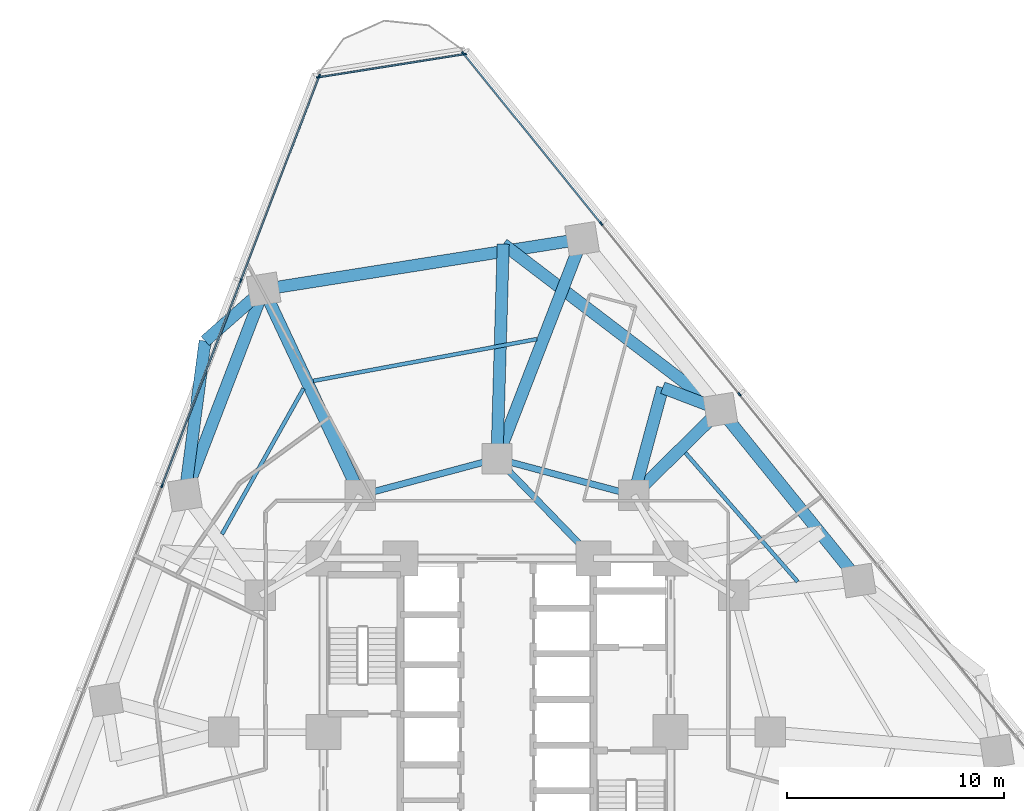
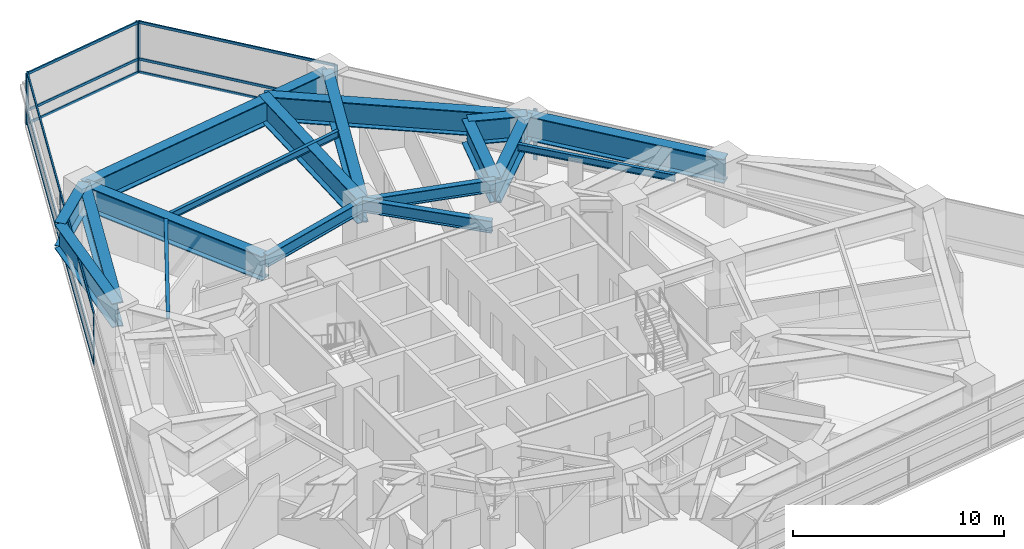
# One storey, part 5 of 13: 20 members, 18 beams, 3 elements without a shape of their own.
"""IFC4 building model written with IfcOpenShell, lengths in metres."""

from ifc_helpers import new_model, si_unit, direction, frame, origin, origin_2d, place, context, subcontext, project, spatial, rectangle, i_section, extrude, material, layer, layer_set, material_profile, profile_set, type_object, element, aggregate, save


model = new_model("IFC4")

# Units and contexts
model_context = context("Model", 3, precision=1e-05, world=origin(), true_north=direction((0.0, 1.0)))
body_context = subcontext(model_context, "Body", "Model", "MODEL_VIEW")
ifc_project = project(units=[si_unit("LENGTHUNIT", "METRE"), si_unit("AREAUNIT", "SQUARE_METRE"), si_unit("VOLUMEUNIT", "CUBIC_METRE"), si_unit("PLANEANGLEUNIT", "RADIAN"), si_unit("MASSUNIT", "GRAM", prefix="KILO")], contexts=[model_context])

# Site, building, storey
site_placement = place(None, origin())
site = spatial("IfcSite", under=ifc_project, at=site_placement, CompositionType="ELEMENT")
building_placement = place(site_placement, origin())
building = spatial("IfcBuilding", under=site, at=building_placement, Name="Terralouvre Media Tower", CompositionType="ELEMENT")
storey_placement = place(building_placement, frame((0.0, 0.0, 81.5)))
storey = spatial("IfcBuildingStorey", under=building, at=storey_placement, Name="L20", CompositionType="ELEMENT", Elevation=81.5)

# Beams
ifc_material_1 = material(Name="Structural steel S355J2", Category="steel")
ifc_material_profile_1 = material_profile(ifc_material_1, i_section(OverallWidth=0.179931640625, OverallDepth=0.39990234375, WebThickness=0.008544921875, FlangeThickness=0.013427734375, at=origin_2d()), Name="IPE 400")
ifc_profile_set_1 = profile_set([ifc_material_profile_1], Name="Structural steel S355J2")
beam_type_1 = type_object("IfcBeamType", Name="Composite Floor Joist J-IPE400 (IPE 400)", PredefinedType="JOIST", material=ifc_profile_set_1)
beam_1_placement = place(storey_placement, frame((13.85693359375, 6.929443359375, 3.260009765625), z_axis=(-0.656983061207, 0.753905337086, 0.0), x_axis=(-0.753905337086, -0.656983061207, 0.0)))
element("IfcBeam", 1, at=beam_1_placement, inside=storey, type_object=beam_type_1, Name="L20 Framing Beam JT-L20-07", PredefinedType="JOIST", context=body_context, shape_type="SweptSolid", body=[
    extrude(i_section(OverallWidth=0.179931640625, OverallDepth=0.39990234375, WebThickness=0.008544921875, FlangeThickness=0.013427734375, at=origin_2d()), origin(), (0.0, 0.0, 1.0), 7.879150390625),
])
beam_2_placement = place(storey_placement, frame((1.835205078125, 18.108154296875, 3.260009765625), z_axis=(-0.982983304647, -0.183694917693, 0.0), x_axis=(0.183694917693, -0.982983304647, 0.0)))
element("IfcBeam", 2, at=beam_2_placement, inside=storey, type_object=beam_type_1, Name="L20 Framing Beam JT-L20-09", PredefinedType="JOIST", context=body_context, shape_type="SweptSolid", body=[
    extrude(i_section(OverallWidth=0.179931640625, OverallDepth=0.39990234375, WebThickness=0.008544921875, FlangeThickness=0.013427734375, at=origin_2d()), origin(), (0.0, 0.0, 1.0), 10.4794921875),
])
beam_3_placement = place(storey_placement, frame((-8.915771484375, 15.83154296875, 3.260009765625), z_axis=(-0.488341378677, -0.872652678831, 0.0), x_axis=(0.872652678831, -0.488341378677, 0.0)))
element("IfcBeam", 3, at=beam_3_placement, inside=storey, type_object=beam_type_1, Name="L20 Framing Beam JT-L20-10", PredefinedType="JOIST", context=body_context, shape_type="SweptSolid", body=[
    extrude(i_section(OverallWidth=0.179931640625, OverallDepth=0.39990234375, WebThickness=0.008544921875, FlangeThickness=0.013427734375, at=origin_2d()), origin(), (0.0, 0.0, 1.0), 7.690673828125),
])

# Curtain wall, members
ifc_material_2 = material(Name="Low-iron laminated double glazing with solar-control coating", Category="glass")
ifc_layer_1 = layer(ifc_material_2, 0.1650390625, Name="Lower Media Tower Unitised Curtain Wall CW-02")
ifc_layer_set_1 = layer_set([ifc_layer_1], Name="Low-iron laminated double glazing with solar-control coating")
curtain_wall_type_1 = type_object("IfcCurtainWallType", Name="Lower Media Tower Unitised Curtain Wall CW-02", PredefinedType="NOTDEFINED", material=ifc_layer_set_1)
curtain_wall_1_placement = place(storey_placement, origin())
curtain_wall_1 = element("IfcCurtainWall", 4, at=curtain_wall_1_placement, inside=storey, type_object=curtain_wall_type_1, Name="L20 Facade Curtain Wall F1", PredefinedType="NOTDEFINED")
ifc_material_3 = material(Name="Anodised extruded aluminium 6063-T6", Category="aluminium")
ifc_material_profile_2 = material_profile(ifc_material_3, rectangle(XDim=0.074951171875, YDim=0.14990234375, at=origin_2d()), Name="ALU 75x150")
ifc_profile_set_2 = profile_set([ifc_material_profile_2], Name="Anodised extruded aluminium 6063-T6")
member_type_1 = type_object("IfcMemberType", Name="Curtain-Wall Horizontal Transom TR-150", PredefinedType="USERDEFINED", material=ifc_profile_set_2)
member_1_placement = place(storey_placement, frame((4.7763671875, 23.46435546875, 0.03759765625), z_axis=(-0.629312521445, 0.777152334071, 0.0), x_axis=(-0.777152334071, -0.629312521445, 0.0)))
member_1 = element("IfcMember", 5, at=member_1_placement, type_object=member_type_1, Name="CW-02 transom 5.1", ObjectType="TRANSOM", PredefinedType="USERDEFINED", context=body_context, shape_type="SweptSolid", body=[
    extrude(rectangle(XDim=0.074951171875, YDim=0.14990234375, at=origin_2d()), origin(), (0.0, 0.0, 1.0), 10.015625),
])
member_2_placement = place(storey_placement, frame((4.7763671875, 23.46435546875, 0.800048828125), z_axis=(-0.629312521445, 0.777152334071, 0.0), x_axis=(-0.777152334071, -0.629312521445, 0.0)))
member_2 = element("IfcMember", 6, at=member_2_placement, type_object=member_type_1, Name="CW-02 transom 5.2", ObjectType="TRANSOM", PredefinedType="USERDEFINED", context=body_context, shape_type="SweptSolid", body=[
    extrude(rectangle(XDim=0.074951171875, YDim=0.14990234375, at=origin_2d()), origin(), (0.0, 0.0, 1.0), 10.015625),
])
member_3_placement = place(storey_placement, frame((4.7763671875, 23.46435546875, 2.922607421875), z_axis=(-0.629312521445, 0.777152334071, 0.0), x_axis=(-0.777152334071, -0.629312521445, 0.0)))
member_3 = element("IfcMember", 7, at=member_3_placement, type_object=member_type_1, Name="CW-02 transom 5.3", ObjectType="TRANSOM", PredefinedType="USERDEFINED", context=body_context, shape_type="SweptSolid", body=[
    extrude(rectangle(XDim=0.074951171875, YDim=0.14990234375, at=origin_2d()), origin(), (0.0, 0.0, 1.0), 10.015625),
])

curtain_wall_2_placement = place(storey_placement, origin())
curtain_wall_2 = element("IfcCurtainWall", 8, at=curtain_wall_2_placement, inside=storey, type_object=curtain_wall_type_1, Name="L20 Facade Curtain Wall F2", PredefinedType="NOTDEFINED")
member_4_placement = place(storey_placement, frame((-8.2041015625, 30.1904296875, 0.03759765625), z_axis=(-0.358376263354, -0.933577235083, 0.0), x_axis=(0.933577235083, -0.358376263354, 0.0)))
member_4 = element("IfcMember", 9, at=member_4_placement, type_object=member_type_1, Name="CW-02 transom 1.1", ObjectType="TRANSOM", PredefinedType="USERDEFINED", context=body_context, shape_type="SweptSolid", body=[
    extrude(rectangle(XDim=0.074951171875, YDim=0.14990234375, at=origin_2d()), origin(), (0.0, 0.0, 1.0), 10.015625),
])
member_5_placement = place(storey_placement, frame((-8.2041015625, 30.1904296875, 0.800048828125), z_axis=(-0.358376263354, -0.933577235083, 0.0), x_axis=(0.933577235083, -0.358376263354, 0.0)))
member_5 = element("IfcMember", 10, at=member_5_placement, type_object=member_type_1, Name="CW-02 transom 1.2", ObjectType="TRANSOM", PredefinedType="USERDEFINED", context=body_context, shape_type="SweptSolid", body=[
    extrude(rectangle(XDim=0.074951171875, YDim=0.14990234375, at=origin_2d()), origin(), (0.0, 0.0, 1.0), 10.015625),
])
member_6_placement = place(storey_placement, frame((-8.2041015625, 30.1904296875, 2.922607421875), z_axis=(-0.358376263354, -0.933577235083, 0.0), x_axis=(0.933577235083, -0.358376263354, 0.0)))
member_6 = element("IfcMember", 11, at=member_6_placement, type_object=member_type_1, Name="CW-02 transom 1.3", ObjectType="TRANSOM", PredefinedType="USERDEFINED", context=body_context, shape_type="SweptSolid", body=[
    extrude(rectangle(XDim=0.074951171875, YDim=0.14990234375, at=origin_2d()), origin(), (0.0, 0.0, 1.0), 10.015625),
])
member_7_placement = place(storey_placement, frame((-11.8203125, 20.77001953125, 0.03759765625), z_axis=(-0.358357340084, -0.933584499019, 0.0), x_axis=(0.933584499019, -0.358357340084, 0.0)))
member_7 = element("IfcMember", 12, at=member_7_placement, type_object=member_type_1, Name="CW-02 transom 2.1", ObjectType="TRANSOM", PredefinedType="USERDEFINED", context=body_context, shape_type="SweptSolid", body=[
    extrude(rectangle(XDim=0.074951171875, YDim=0.14990234375, at=origin_2d()), origin(), (0.0, 0.0, 1.0), 10.052978515625),
])
member_8_placement = place(storey_placement, frame((-11.8203125, 20.77001953125, 0.800048828125), z_axis=(-0.358357340084, -0.933584499019, 0.0), x_axis=(0.933584499019, -0.358357340084, 0.0)))
member_8 = element("IfcMember", 13, at=member_8_placement, type_object=member_type_1, Name="CW-02 transom 2.2", ObjectType="TRANSOM", PredefinedType="USERDEFINED", context=body_context, shape_type="SweptSolid", body=[
    extrude(rectangle(XDim=0.074951171875, YDim=0.14990234375, at=origin_2d()), origin(), (0.0, 0.0, 1.0), 10.052978515625),
])
member_9_placement = place(storey_placement, frame((-11.8203125, 20.77001953125, 2.922607421875), z_axis=(-0.358357340084, -0.933584499019, 0.0), x_axis=(0.933584499019, -0.358357340084, 0.0)))
member_9 = element("IfcMember", 14, at=member_9_placement, type_object=member_type_1, Name="CW-02 transom 2.3", ObjectType="TRANSOM", PredefinedType="USERDEFINED", context=body_context, shape_type="SweptSolid", body=[
    extrude(rectangle(XDim=0.074951171875, YDim=0.14990234375, at=origin_2d()), origin(), (0.0, 0.0, 1.0), 10.052978515625),
])

ifc_material_4 = material(Name="Low-iron laminated double glazing with solar-control coating", Category="glass")
ifc_layer_2 = layer(ifc_material_4, 0.1650390625, Name="Rounded Wind-Corner Curved Glazing CW-04")
ifc_layer_set_2 = layer_set([ifc_layer_2], Name="Low-iron laminated double glazing with solar-control coating")
curtain_wall_type_2 = type_object("IfcCurtainWallType", Name="Rounded Wind-Corner Curved Glazing CW-04", PredefinedType="NOTDEFINED", material=ifc_layer_set_2)
curtain_wall_3_placement = place(storey_placement, origin())
curtain_wall_3 = element("IfcCurtainWall", 15, at=curtain_wall_3_placement, inside=storey, type_object=curtain_wall_type_2, Name="L20 Rounded Wind-Corner Curtain Wall C2", PredefinedType="NOTDEFINED")
member_10_placement = place(storey_placement, frame((-1.53271484375, 31.231689453125, 0.03759765625), z_axis=(-0.987688588398, -0.156432900464, 0.0), x_axis=(0.156432900464, -0.987688588398, 0.0)))
member_10 = element("IfcMember", 16, at=member_10_placement, type_object=member_type_1, Name="CW-04 transom 1.1", ObjectType="TRANSOM", PredefinedType="USERDEFINED", context=body_context, shape_type="SweptSolid", body=[
    extrude(rectangle(XDim=0.074951171875, YDim=0.14990234375, at=origin_2d()), origin(), (0.0, 0.0, 1.0), 6.74365234375),
])
member_11_placement = place(storey_placement, frame((-1.53271484375, 31.231689453125, 0.800048828125), z_axis=(-0.987688588398, -0.156432900464, 0.0), x_axis=(0.156432900464, -0.987688588398, 0.0)))
member_11 = element("IfcMember", 17, at=member_11_placement, type_object=member_type_1, Name="CW-04 transom 1.2", ObjectType="TRANSOM", PredefinedType="USERDEFINED", context=body_context, shape_type="SweptSolid", body=[
    extrude(rectangle(XDim=0.074951171875, YDim=0.14990234375, at=origin_2d()), origin(), (0.0, 0.0, 1.0), 6.74365234375),
])
member_12_placement = place(storey_placement, frame((-1.53271484375, 31.231689453125, 2.922607421875), z_axis=(-0.987688588398, -0.156432900464, 0.0), x_axis=(0.156432900464, -0.987688588398, 0.0)))
member_12 = element("IfcMember", 18, at=member_12_placement, type_object=member_type_1, Name="CW-04 transom 1.3", ObjectType="TRANSOM", PredefinedType="USERDEFINED", context=body_context, shape_type="SweptSolid", body=[
    extrude(rectangle(XDim=0.074951171875, YDim=0.14990234375, at=origin_2d()), origin(), (0.0, 0.0, 1.0), 6.74365234375),
])

# Member
ifc_material_5 = material(Name="Anodised extruded aluminium 6063-T6", Category="aluminium")
ifc_material_profile_3 = material_profile(ifc_material_5, rectangle(XDim=0.074951171875, YDim=0.179931640625, at=origin_2d()), Name="ALU 75x180")
ifc_profile_set_3 = profile_set([ifc_material_profile_3], Name="Anodised extruded aluminium 6063-T6")
member_type_2 = type_object("IfcMemberType", Name="Curtain-Wall Vertical Mullion ML-180", PredefinedType="MULLION", material=ifc_profile_set_3)
member_13_placement = place(storey_placement, frame((11.173583984375, 15.564453125, 0.0), z_axis=(0.0, 0.0, 1.0), x_axis=(-0.777145994276, -0.629320350521, 0.0)))
member_13 = element("IfcMember", 19, at=member_13_placement, type_object=member_type_2, Name="CW-02 mullion 4", PredefinedType="MULLION", context=body_context, shape_type="SweptSolid", body=[
    extrude(rectangle(XDim=0.074951171875, YDim=0.179931640625, at=origin_2d()), origin(), (0.0, 0.0, 1.0), 2.9599609375),
])

member_14_placement = place(storey_placement, frame((4.7998046875, 23.435302734375, 0.0), z_axis=(0.0, 0.0, 1.0), x_axis=(-0.777145994276, -0.629320350521, 0.0)))
member_14 = element("IfcMember", 20, at=member_14_placement, type_object=member_type_2, Name="CW-02 mullion 5", PredefinedType="MULLION", context=body_context, shape_type="SweptSolid", body=[
    extrude(rectangle(XDim=0.074951171875, YDim=0.179931640625, at=origin_2d()), origin(), (0.0, 0.0, 1.0), 2.9599609375),
])

member_15_placement = place(storey_placement, frame((-1.55029296875, 31.277099609375, 0.0), z_axis=(0.0, 0.0, 1.0), x_axis=(-0.777145994276, -0.629320350521, 0.0)))
member_15 = element("IfcMember", 21, at=member_15_placement, type_object=member_type_2, Name="CW-02 mullion 6", PredefinedType="MULLION", context=body_context, shape_type="SweptSolid", body=[
    extrude(rectangle(XDim=0.074951171875, YDim=0.179931640625, at=origin_2d()), origin(), (0.0, 0.0, 1.0), 2.9599609375),
])

aggregate(curtain_wall_1, [member_13, member_14, member_15, member_1, member_2, member_3])

member_16_placement = place(storey_placement, frame((-8.190673828125, 30.225341796875, 0.0), z_axis=(0.0, 0.0, 1.0), x_axis=(0.933580438988, -0.358367917006, 0.0)))
member_16 = element("IfcMember", 22, at=member_16_placement, type_object=member_type_2, Name="CW-02 mullion 1", PredefinedType="MULLION", context=body_context, shape_type="SweptSolid", body=[
    extrude(rectangle(XDim=0.074951171875, YDim=0.179931640625, at=origin_2d()), origin(), (0.0, 0.0, 1.0), 2.9599609375),
])

member_17_placement = place(storey_placement, frame((-11.806884765625, 20.80517578125, 0.0), z_axis=(0.0, 0.0, 1.0), x_axis=(0.933580438988, -0.358367917006, 0.0)))
member_17 = element("IfcMember", 23, at=member_17_placement, type_object=member_type_2, Name="CW-02 mullion 2", PredefinedType="MULLION", context=body_context, shape_type="SweptSolid", body=[
    extrude(rectangle(XDim=0.074951171875, YDim=0.179931640625, at=origin_2d()), origin(), (0.0, 0.0, 1.0), 2.9599609375),
])

member_18_placement = place(storey_placement, frame((-15.436279296875, 11.349853515625, 0.0), z_axis=(0.0, 0.0, 1.0), x_axis=(0.933580438988, -0.358367917006, 0.0)))
member_18 = element("IfcMember", 24, at=member_18_placement, type_object=member_type_2, Name="CW-02 mullion 3", PredefinedType="MULLION", context=body_context, shape_type="SweptSolid", body=[
    extrude(rectangle(XDim=0.074951171875, YDim=0.179931640625, at=origin_2d()), origin(), (0.0, 0.0, 1.0), 2.9599609375),
])

aggregate(curtain_wall_2, [member_16, member_17, member_18, member_4, member_5, member_6, member_7, member_8, member_9])

member_19_placement = place(storey_placement, frame((-1.495849609375, 31.237548828125, 0.0), z_axis=(0.0, 0.0, 1.0), x_axis=(0.156434386502, -0.987688353034, 0.0)))
member_19 = element("IfcMember", 25, at=member_19_placement, type_object=member_type_2, Name="CW-04 mullion 1", PredefinedType="MULLION", context=body_context, shape_type="SweptSolid", body=[
    extrude(rectangle(XDim=0.074951171875, YDim=0.179931640625, at=origin_2d()), origin(), (0.0, 0.0, 1.0), 2.9599609375),
])

member_20_placement = place(storey_placement, frame((-8.23046875, 30.1708984375, 0.0), z_axis=(0.0, 0.0, 1.0), x_axis=(0.156434386502, -0.987688353034, 0.0)))
member_20 = element("IfcMember", 26, at=member_20_placement, type_object=member_type_2, Name="CW-04 mullion 2", PredefinedType="MULLION", context=body_context, shape_type="SweptSolid", body=[
    extrude(rectangle(XDim=0.074951171875, YDim=0.179931640625, at=origin_2d()), origin(), (0.0, 0.0, 1.0), 2.9599609375),
])

aggregate(curtain_wall_3, [member_19, member_20, member_10, member_11, member_12])

# Beams
ifc_material_6 = material(Name="Structural steel S460M", Category="steel")
ifc_material_profile_4 = material_profile(ifc_material_6, i_section(OverallWidth=0.300048828125, OverallDepth=0.699951171875, WebThickness=0.01708984375, FlangeThickness=0.031982421875, at=origin_2d()), Name="HEB 700")
ifc_profile_set_4 = profile_set([ifc_material_profile_4], Name="Structural steel S460M")
beam_type_2 = type_object("IfcBeamType", Name="Primary Floor Girder B-HEB700 (HEB 700)", PredefinedType="BEAM", material=ifc_profile_set_4)
for number, where, z_axis, x_axis, name in (
    (27, (6.300048828125, 10.911865234375, 3.110107421875), (-0.965920481897, 0.258838989821, 0.0), (-0.258838989821, -0.965920481897, 0.0), "L20 Framing Beam BM-L20-MR08"),
    (28, (0.0, 12.60009765625, 3.110107421875), (-0.965920481897, -0.258838989821, 0.0), (0.258838989821, -0.965920481897, 0.0), "L20 Framing Beam BM-L20-MR09"),
):
    element("IfcBeam", number, at=place(storey_placement, frame(where, z_axis=z_axis, x_axis=x_axis)), inside=storey, type_object=beam_type_2, Name=name, PredefinedType="BEAM", context=body_context, shape_type="SweptSolid", body=[
        extrude(i_section(OverallWidth=0.300048828125, OverallDepth=0.699951171875, WebThickness=0.01708984375, FlangeThickness=0.031982421875, at=origin_2d()), origin(), (0.0, 0.0, 1.0), 6.522216796875),
    ])
beam_4_placement = place(storey_placement, frame((4.449951171875, 8.0, 3.110107421875), z_axis=(-0.695279715726, 0.718739255155, 0.0), x_axis=(-0.718739255155, -0.695279715726, 0.0)))
element("IfcBeam", 29, at=beam_4_placement, inside=storey, type_object=beam_type_2, Name="L20 Framing Beam BM-L20-CM09", PredefinedType="BEAM", context=body_context, shape_type="SweptSolid", body=[
    extrude(i_section(OverallWidth=0.300048828125, OverallDepth=0.699951171875, WebThickness=0.01708984375, FlangeThickness=0.031982421875, at=origin_2d()), origin(), (0.0, 0.0, 1.0), 6.400146484375),
])
ifc_material_7 = material(Name="Structural steel S460M", Category="steel")
ifc_material_profile_5 = material_profile(ifc_material_7, i_section(OverallWidth=0.56005859375, OverallDepth=1.39990234375, WebThickness=0.031982421875, FlangeThickness=0.050048828125, at=origin_2d()), Name="TG 1400x560")
ifc_profile_set_5 = profile_set([ifc_material_profile_5], Name="Structural steel S460M")
beam_type_3 = type_object("IfcBeamType", Name="Welded Transfer Girder TG-1400 (TG 1400x560)", PredefinedType="USERDEFINED", material=ifc_profile_set_5)
beam_5_placement = place(storey_placement, frame((16.669189453125, 6.982421875, 2.760009765625), z_axis=(-0.629325814949, 0.777141569239, 0.0), x_axis=(-0.777141569239, -0.629325814949, 0.0)))
element("IfcBeam", 30, at=beam_5_placement, inside=storey, type_object=beam_type_3, Name="L20 Framing Beam BM-L20-PR07", ObjectType="TRANSFER GIRDER", PredefinedType="USERDEFINED", context=body_context, shape_type="SweptSolid", body=[
    extrude(i_section(OverallWidth=0.56005859375, OverallDepth=1.39990234375, WebThickness=0.031982421875, FlangeThickness=0.050048828125, at=origin_2d()), origin(), (0.0, 0.0, 1.0), 10.1279296875),
])
beam_6_placement = place(storey_placement, frame((3.921630859375, 22.72412109375, 2.760009765625), z_axis=(-0.98768930547, -0.156428372939, 0.0), x_axis=(0.156428372939, -0.98768930547, 0.0)))
element("IfcBeam", 31, at=beam_6_placement, inside=storey, type_object=beam_type_3, Name="L20 Framing Beam BM-L20-PR09", ObjectType="TRANSFER GIRDER", PredefinedType="USERDEFINED", context=body_context, shape_type="SweptSolid", body=[
    extrude(i_section(OverallWidth=0.56005859375, OverallDepth=1.39990234375, WebThickness=0.031982421875, FlangeThickness=0.050048828125, at=origin_2d()), origin(), (0.0, 0.0, 1.0), 14.8564453125),
])
beam_7_placement = place(storey_placement, frame((-10.751953125, 20.400146484375, 2.760009765625), z_axis=(-0.358353868481, -0.933585831589, 0.0), x_axis=(0.933585831589, -0.358353868481, 0.0)))
element("IfcBeam", 32, at=beam_7_placement, inside=storey, type_object=beam_type_3, Name="L20 Framing Beam BM-L20-PR10", ObjectType="TRANSFER GIRDER", PredefinedType="USERDEFINED", context=body_context, shape_type="SweptSolid", body=[
    extrude(i_section(OverallWidth=0.56005859375, OverallDepth=1.39990234375, WebThickness=0.031982421875, FlangeThickness=0.050048828125, at=origin_2d()), origin(), (0.0, 0.0, 1.0), 10.1279296875),
])
beam_8_placement = place(storey_placement, frame((6.300048828125, 10.911865234375, 2.760009765625), z_axis=(0.711897326367, 0.702283558623, 0.0), x_axis=(-0.702283558623, 0.711897326367, 0.0)))
element("IfcBeam", 33, at=beam_8_placement, inside=storey, type_object=beam_type_3, Name="L20 Framing Beam BM-L20-RD08", ObjectType="TRANSFER GIRDER", PredefinedType="USERDEFINED", context=body_context, shape_type="SweptSolid", body=[
    extrude(i_section(OverallWidth=0.56005859375, OverallDepth=1.39990234375, WebThickness=0.031982421875, FlangeThickness=0.050048828125, at=origin_2d()), origin(), (0.0, 0.0, 1.0), 5.6123046875),
])
beam_9_placement = place(storey_placement, frame((0.0, 12.60009765625, 2.760009765625), z_axis=(0.361206690819, 0.93248577818, 0.0), x_axis=(-0.93248577818, 0.361206690819, 0.0)))
element("IfcBeam", 34, at=beam_9_placement, inside=storey, type_object=beam_type_3, Name="L20 Framing Beam BM-L20-RD09", ObjectType="TRANSFER GIRDER", PredefinedType="USERDEFINED", context=body_context, shape_type="SweptSolid", body=[
    extrude(i_section(OverallWidth=0.56005859375, OverallDepth=1.39990234375, WebThickness=0.031982421875, FlangeThickness=0.050048828125, at=origin_2d()), origin(), (0.0, 0.0, 1.0), 10.85693359375),
])
beam_10_placement = place(storey_placement, frame((-6.300048828125, 10.911865234375, 2.760009765625), z_axis=(-0.42476805902, 0.905302212544, 0.0), x_axis=(-0.905302212544, -0.42476805902, 0.0)))
element("IfcBeam", 35, at=beam_10_placement, inside=storey, type_object=beam_type_3, Name="L20 Framing Beam BM-L20-RD10", ObjectType="TRANSFER GIRDER", PredefinedType="USERDEFINED", context=body_context, shape_type="SweptSolid", body=[
    extrude(i_section(OverallWidth=0.56005859375, OverallDepth=1.39990234375, WebThickness=0.031982421875, FlangeThickness=0.050048828125, at=origin_2d()), origin(), (0.0, 0.0, 1.0), 10.480712890625),
])
beam_11_placement = place(storey_placement, frame((7.635498046875, 15.868896484375, 2.760009765625), z_axis=(0.934215788504, -0.356708368993, 0.0), x_axis=(0.356708368993, 0.934215788504, 0.0)))
element("IfcBeam", 36, at=beam_11_placement, inside=storey, type_object=beam_type_3, Name="L20 Framing Beam BM-L20-TR07S1", ObjectType="TRANSFER GIRDER", PredefinedType="USERDEFINED", context=body_context, shape_type="SweptSolid", body=[
    extrude(i_section(OverallWidth=0.56005859375, OverallDepth=1.39990234375, WebThickness=0.031982421875, FlangeThickness=0.050048828125, at=origin_2d()), origin(), (0.0, 0.0, 1.0), 2.84716796875),
])
beam_12_placement = place(storey_placement, frame((7.635498046875, 15.868896484375, 2.760009765625), z_axis=(-0.260130371447, -0.96557350308, 0.0), x_axis=(0.96557350308, -0.260130371447, 0.0)))
element("IfcBeam", 37, at=beam_12_placement, inside=storey, type_object=beam_type_3, Name="L20 Framing Beam BM-L20-TR07S2", ObjectType="TRANSFER GIRDER", PredefinedType="USERDEFINED", context=body_context, shape_type="SweptSolid", body=[
    extrude(i_section(OverallWidth=0.56005859375, OverallDepth=1.39990234375, WebThickness=0.031982421875, FlangeThickness=0.050048828125, at=origin_2d()), origin(), (0.0, 0.0, 1.0), 5.1337890625),
])
beam_13_placement = place(storey_placement, frame((0.287353515625, 22.4853515625, 2.760009765625), z_axis=(-0.029056632049, -0.999577766927, 0.0), x_axis=(0.999577766927, -0.029056632049, 0.0)))
element("IfcBeam", 38, at=beam_13_placement, inside=storey, type_object=beam_type_3, Name="L20 Framing Beam BM-L20-TR08S1", ObjectType="TRANSFER GIRDER", PredefinedType="USERDEFINED", context=body_context, shape_type="SweptSolid", body=[
    extrude(i_section(OverallWidth=0.56005859375, OverallDepth=1.39990234375, WebThickness=0.031982421875, FlangeThickness=0.050048828125, at=origin_2d()), origin(), (0.0, 0.0, 1.0), 9.889404296875),
])
beam_14_placement = place(storey_placement, frame((0.287353515625, 22.4853515625, 2.760009765625), z_axis=(0.795167591678, -0.606389727111, 0.0), x_axis=(0.606389727111, 0.795167591678, 0.0)))
element("IfcBeam", 39, at=beam_14_placement, inside=storey, type_object=beam_type_3, Name="L20 Framing Beam BM-L20-TR08S2", ObjectType="TRANSFER GIRDER", PredefinedType="USERDEFINED", context=body_context, shape_type="SweptSolid", body=[
    extrude(i_section(OverallWidth=0.56005859375, OverallDepth=1.39990234375, WebThickness=0.031982421875, FlangeThickness=0.050048828125, at=origin_2d()), origin(), (0.0, 0.0, 1.0), 12.586181640625),
])
beam_15_placement = place(storey_placement, frame((-13.448974609375, 18.02197265625, 2.760009765625), z_axis=(0.750051808768, 0.661379077506, 0.0), x_axis=(-0.661379077506, 0.750051808768, 0.0)))
element("IfcBeam", 40, at=beam_15_placement, inside=storey, type_object=beam_type_3, Name="L20 Framing Beam BM-L20-TR09S1", ObjectType="TRANSFER GIRDER", PredefinedType="USERDEFINED", context=body_context, shape_type="SweptSolid", body=[
    extrude(i_section(OverallWidth=0.56005859375, OverallDepth=1.39990234375, WebThickness=0.031982421875, FlangeThickness=0.050048828125, at=origin_2d()), origin(), (0.0, 0.0, 1.0), 3.595703125),
])
beam_16_placement = place(storey_placement, frame((-13.448974609375, 18.02197265625, 2.760009765625), z_axis=(-0.130615530304, -0.991433095697, 0.0), x_axis=(0.991433095697, -0.130615530304, 0.0)))
element("IfcBeam", 41, at=beam_16_placement, inside=storey, type_object=beam_type_3, Name="L20 Framing Beam BM-L20-TR09S2", ObjectType="TRANSFER GIRDER", PredefinedType="USERDEFINED", context=body_context, shape_type="SweptSolid", body=[
    extrude(i_section(OverallWidth=0.56005859375, OverallDepth=1.39990234375, WebThickness=0.031982421875, FlangeThickness=0.050048828125, at=origin_2d()), origin(), (0.0, 0.0, 1.0), 7.13818359375),
])

save(model, "model.ifc")
